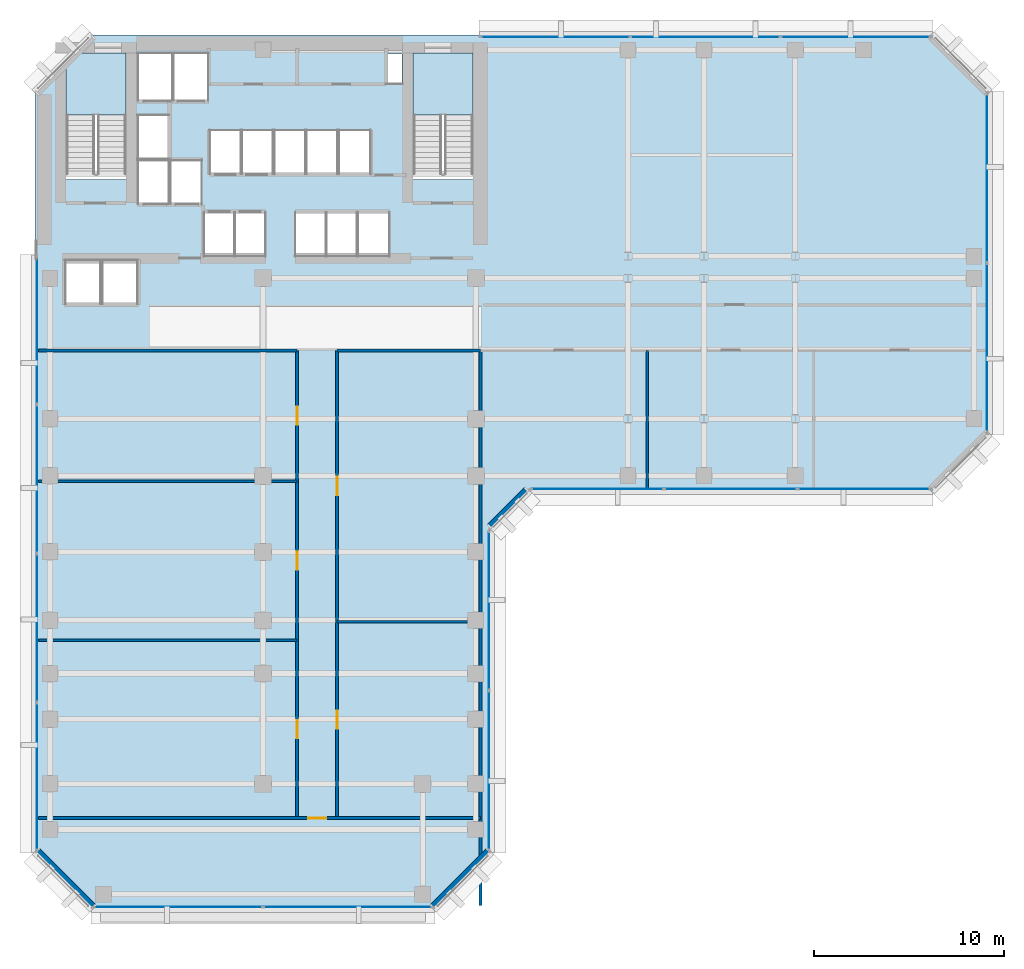
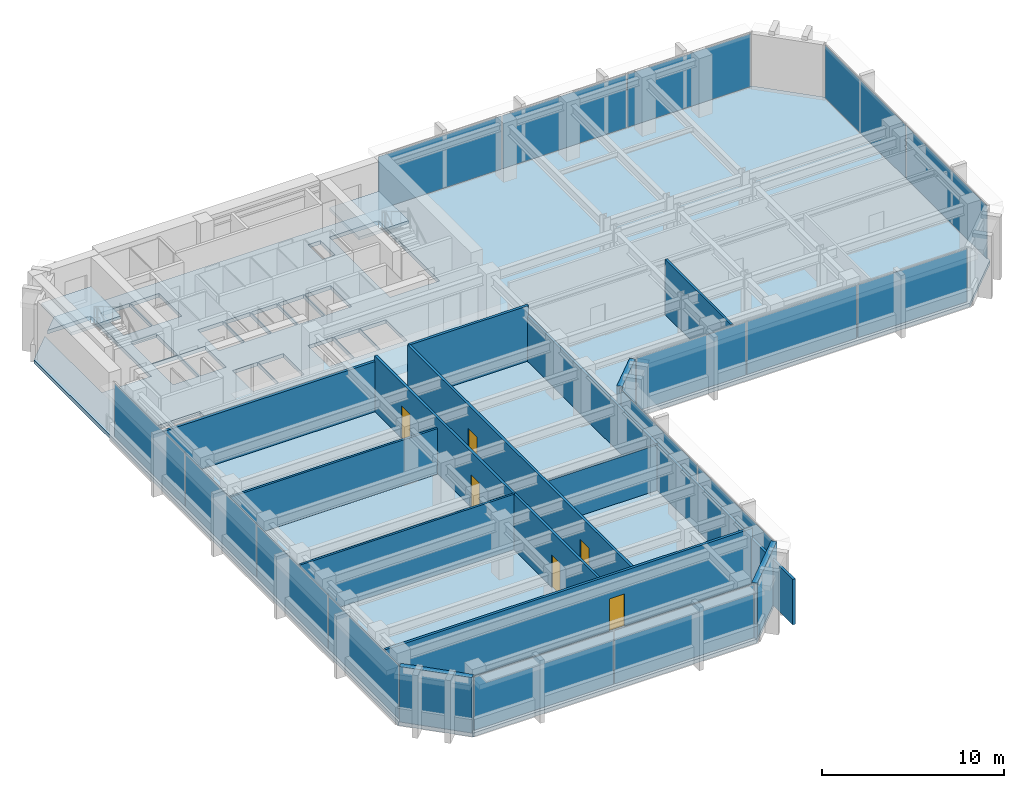
# One storey, part 6 of 12: 16 plates, 13 walls, 6 doors, 3 slabs, 6 openings, 8 elements without a shape of their own.
"""IFC4 building model written with IfcOpenShell, lengths in metres."""

from ifc_helpers import new_model, si_unit, direction, frame, frame_2d, origin, origin_2d, place, context, subcontext, project, spatial, polyline, rectangle, outline, extrude, material, layer, layer_set, type_object, element, fill, aggregate, save


model = new_model("IFC4")

# Units and contexts
model_context = context("Model", 3, precision=1e-05, world=origin(), true_north=direction((0.0, 1.0)))
body_context = subcontext(model_context, "Body", "Model", "MODEL_VIEW")
ifc_project = project(units=[si_unit("LENGTHUNIT", "METRE"), si_unit("AREAUNIT", "SQUARE_METRE"), si_unit("VOLUMEUNIT", "CUBIC_METRE"), si_unit("PLANEANGLEUNIT", "RADIAN"), si_unit("MASSUNIT", "GRAM", prefix="KILO")], contexts=[model_context])

# Site, building, storey
site_placement = place(None, origin())
site = spatial("IfcSite", under=ifc_project, at=site_placement, CompositionType="ELEMENT")
building_placement = place(site_placement, origin())
building = spatial("IfcBuilding", under=site, at=building_placement, Name="Kefirva Bronze Tower", CompositionType="ELEMENT")
storey_placement = place(building_placement, frame((0.0, 0.0, 114.510009765625)))
storey = spatial("IfcBuildingStorey", under=building, at=storey_placement, Name="L27", CompositionType="ELEMENT", Elevation=114.510009765625)

# Stair, slab
ifc_material_1 = material(Name="Concrete C40/50", Category="concrete")
stair_type = type_object("IfcStairType", Name="RC Dogleg Protected Stair 24R", PredefinedType="HALF_TURN_STAIR", material=ifc_material_1)
stair_1_placement = place(storey_placement, origin())
stair_1 = element("IfcStair", 1, at=stair_1_placement, inside=storey, type_object=stair_type, Name="L27 Protected Exit Stair 1", PredefinedType="HALF_TURN_STAIR")
ifc_layer_1 = layer(ifc_material_1, 0.199951171875, Name="Concrete C40/50")
ifc_layer_set_1 = layer_set([ifc_layer_1], Name="Concrete C40/50")
slab_type_1 = type_object("IfcSlabType", Name="RC Stair Landing Slab 200mm", PredefinedType="LANDING", material=ifc_layer_set_1)
slab_1_placement = place(storey_placement, frame((0.0, 0.0, 1.780029296875)))
slab_1 = element("IfcSlab", 2, at=slab_1_placement, type_object=slab_type_1, Name="ST-1 landing 1", PredefinedType="LANDING", context=body_context, shape_type="SweptSolid", body=[
    extrude(outline(polyline([(4.800048828125, 41.780029296875), (4.800048828125, 45.050048828125), (1.64990234375, 45.050048828125), (1.64990234375, 41.780029296875), (4.800048828125, 41.780029296875)])), origin(), (0.0, 0.0, 1.0), 0.199951171875),
])
aggregate(stair_1, [slab_1])

stair_2_placement = place(storey_placement, origin())
stair_2 = element("IfcStair", 3, at=stair_2_placement, inside=storey, type_object=stair_type, Name="L27 Protected Exit Stair 2", PredefinedType="HALF_TURN_STAIR")
slab_2_placement = place(storey_placement, frame((0.0, 0.0, 1.780029296875)))
slab_2 = element("IfcSlab", 4, at=slab_2_placement, type_object=slab_type_1, Name="ST-2 landing 1", PredefinedType="LANDING", context=body_context, shape_type="SweptSolid", body=[
    extrude(outline(polyline([(23.050048828125, 41.780029296875), (23.050048828125, 45.050048828125), (19.89990234375, 45.050048828125), (19.89990234375, 41.780029296875), (23.050048828125, 41.780029296875)])), origin(), (0.0, 0.0, 1.0), 0.199951171875),
])
aggregate(stair_2, [slab_2])

# Slab
ifc_layer_2 = layer(ifc_material_1, 0.25, Name="Concrete C40/50")
ifc_layer_set_2 = layer_set([ifc_layer_2], Name="Concrete C40/50")
slab_type_2 = type_object("IfcSlabType", Name="RC Tower Floor Slab 250mm", PredefinedType="FLOOR", material=ifc_layer_set_2)
slab_3_placement = place(storey_placement, frame((0.0, 0.0, -0.25)))
element("IfcSlab", 5, at=slab_3_placement, inside=storey, type_object=slab_type_2, Name="L27 Structural Floor Slab", PredefinedType="FLOOR", context=body_context, shape_type="SweptSolid", body=[
    extrude(outline(polyline([(0.0, 3.0), (0.0, 43.0), (1.64990234375, 44.64990234375), (1.64990234375, 38.39990234375), (4.800048828125, 38.39990234375), (4.800048828125, 45.050048828125), (2.050048828125, 45.050048828125), (3.0, 46.0), (47.199951171875, 46.0), (50.199951171875, 43.0), (50.199951171875, 25.0), (47.199951171875, 22.0), (26.0, 22.0), (24.0, 20.0), (24.0, 3.0), (21.0, 0.0), (3.0, 0.0), (0.0, 3.0)]), holes=[polyline([(19.89990234375, 38.39990234375), (23.050048828125, 38.39990234375), (23.050048828125, 45.050048828125), (19.89990234375, 45.050048828125), (19.89990234375, 38.39990234375)]), polyline([(18.52001953125, 43.419921875), (19.320068359375, 43.419921875), (19.320068359375, 45.0), (18.52001953125, 45.0), (18.52001953125, 43.419921875)]), polyline([(17.0, 34.35009765625), (18.64990234375, 34.35009765625), (18.64990234375, 36.64990234375), (17.0, 36.64990234375), (17.0, 34.35009765625)]), polyline([(17.64990234375, 38.679931640625), (17.64990234375, 40.97998046875), (16.0, 40.97998046875), (16.0, 38.679931640625), (17.64990234375, 38.679931640625)]), polyline([(16.949951171875, 34.35009765625), (16.949951171875, 36.64990234375), (15.35009765625, 36.64990234375), (15.35009765625, 34.35009765625), (16.949951171875, 34.35009765625)]), polyline([(15.929931640625, 38.679931640625), (15.929931640625, 40.97998046875), (14.300048828125, 40.97998046875), (14.300048828125, 38.679931640625), (15.929931640625, 38.679931640625)]), polyline([(15.300048828125, 34.35009765625), (15.300048828125, 36.64990234375), (13.699951171875, 36.64990234375), (13.699951171875, 34.35009765625), (15.300048828125, 34.35009765625)]), polyline([(14.22998046875, 38.679931640625), (14.22998046875, 40.97998046875), (12.60009765625, 40.97998046875), (12.60009765625, 38.679931640625), (14.22998046875, 38.679931640625)]), polyline([(10.89990234375, 38.679931640625), (12.530029296875, 38.679931640625), (12.530029296875, 40.97998046875), (10.89990234375, 40.97998046875), (10.89990234375, 38.679931640625)]), polyline([(12.139892578125, 34.35009765625), (12.139892578125, 36.64990234375), (10.5400390625, 36.64990234375), (10.5400390625, 34.35009765625), (12.139892578125, 34.35009765625)]), polyline([(10.830078125, 38.679931640625), (10.830078125, 40.97998046875), (9.199951171875, 40.97998046875), (9.199951171875, 38.679931640625), (10.830078125, 38.679931640625)]), polyline([(10.5, 34.35009765625), (10.5, 36.64990234375), (8.89990234375, 36.64990234375), (8.89990234375, 34.35009765625), (10.5, 34.35009765625)]), polyline([(7.300048828125, 42.550048828125), (9.1201171875, 42.550048828125), (9.1201171875, 45.050048828125), (7.300048828125, 45.050048828125), (7.300048828125, 42.550048828125)]), polyline([(7.139892578125, 37.10009765625), (8.780029296875, 37.10009765625), (8.780029296875, 39.39990234375), (7.139892578125, 39.39990234375), (7.139892578125, 37.10009765625)]), polyline([(5.419921875, 42.550048828125), (7.239990234375, 42.550048828125), (7.239990234375, 45.050048828125), (5.419921875, 45.050048828125), (5.419921875, 42.550048828125)]), polyline([(7.06005859375, 39.47998046875), (7.06005859375, 41.780029296875), (5.419921875, 41.780029296875), (5.419921875, 39.47998046875), (7.06005859375, 39.47998046875)]), polyline([(5.419921875, 37.10009765625), (7.06005859375, 37.10009765625), (7.06005859375, 39.39990234375), (5.419921875, 39.39990234375), (5.419921875, 37.10009765625)]), polyline([(5.39990234375, 31.85009765625), (5.39990234375, 34.14990234375), (3.550048828125, 34.14990234375), (3.550048828125, 31.85009765625), (5.39990234375, 31.85009765625)]), polyline([(3.449951171875, 31.85009765625), (3.449951171875, 34.14990234375), (1.60009765625, 34.14990234375), (1.60009765625, 31.85009765625), (3.449951171875, 31.85009765625)])]), origin(), (0.0, 0.0, 1.0), 0.25),
])

# Curtain wall, plates
ifc_material_2 = material(Name="Bronze anodised aluminium", Category="aluminium")
ifc_layer_3 = layer(ifc_material_2, 0.199951171875, Name="Bronze anodised aluminium")
ifc_layer_set_3 = layer_set([ifc_layer_3], Name="Bronze anodised aluminium")
curtain_wall_type = type_object("IfcCurtainWallType", Name="Unitised Bronze Ribbon Curtain Wall Zone 2", PredefinedType="USERDEFINED", material=ifc_layer_set_3)
curtain_wall_1_placement = place(storey_placement, origin())
curtain_wall_1 = element("IfcCurtainWall", 6, at=curtain_wall_1_placement, inside=storey, type_object=curtain_wall_type, Name="L27 Curtain Wall 1", ObjectType="UNITISED CURTAIN WALL", PredefinedType="USERDEFINED")
ifc_material_3 = material(Name="Laminated low-E double glazing", Category="glass")
ifc_layer_4 = layer(ifc_material_3, 0.031982421875, Name="Laminated low-E double glazing")
ifc_layer_set_4 = layer_set([ifc_layer_4], Name="Laminated low-E double glazing")
plate_type = type_object("IfcPlateType", Name="Solar-Control Low-E Vision Panel 32mm", PredefinedType="CURTAIN_PANEL", material=ifc_layer_set_4)
plate_1_placement = place(storey_placement, frame((7.546142578125, 0.1201171875, 0.074951171875), z_axis=(0.0, 0.0, 1.0), x_axis=(1.0, 0.0, 0.0)))
plate_1 = element("IfcPlate", 7, at=plate_1_placement, type_object=plate_type, Name="CW-02 panel 1.1", PredefinedType="CURTAIN_PANEL", context=body_context, shape_type="SweptSolid", body=[
    extrude(rectangle(XDim=8.83251953125, YDim=0.031982421875, at=origin_2d()), origin(), (0.0, 0.0, 1.0), 3.56005859375),
])
plate_2_placement = place(storey_placement, frame((16.453857421875, 0.1201171875, 0.074951171875), z_axis=(0.0, 0.0, 1.0), x_axis=(1.0, 0.0, 0.0)))
plate_2 = element("IfcPlate", 8, at=plate_2_placement, type_object=plate_type, Name="CW-02 panel 2.1", PredefinedType="CURTAIN_PANEL", context=body_context, shape_type="SweptSolid", body=[
    extrude(rectangle(XDim=8.83251953125, YDim=0.031982421875, at=origin_2d()), origin(), (0.0, 0.0, 1.0), 3.56005859375),
])
aggregate(curtain_wall_1, [plate_1, plate_2])

curtain_wall_2_placement = place(storey_placement, origin())
curtain_wall_2 = element("IfcCurtainWall", 9, at=curtain_wall_2_placement, inside=storey, type_object=curtain_wall_type, Name="L27 Curtain Wall 2", ObjectType="UNITISED CURTAIN WALL", PredefinedType="USERDEFINED")
plate_3_placement = place(storey_placement, frame((23.8798828125, 7.296142578125, 0.074951171875), z_axis=(0.0, 0.0, 1.0), x_axis=(0.0, 1.0, 0.0)))
plate_3 = element("IfcPlate", 10, at=plate_3_placement, type_object=plate_type, Name="CW-02 panel 1.1", PredefinedType="CURTAIN_PANEL", context=body_context, shape_type="SweptSolid", body=[
    extrude(rectangle(XDim=8.33251953125, YDim=0.031982421875, at=origin_2d()), origin(), (0.0, 0.0, 1.0), 3.56005859375),
])
plate_4_placement = place(storey_placement, frame((23.8798828125, 15.703857421875, 0.074951171875), z_axis=(0.0, 0.0, 1.0), x_axis=(0.0, 1.0, 0.0)))
plate_4 = element("IfcPlate", 11, at=plate_4_placement, type_object=plate_type, Name="CW-02 panel 2.1", PredefinedType="CURTAIN_PANEL", context=body_context, shape_type="SweptSolid", body=[
    extrude(rectangle(XDim=8.33251953125, YDim=0.031982421875, at=origin_2d()), origin(), (0.0, 0.0, 1.0), 3.56005859375),
])
aggregate(curtain_wall_2, [plate_3, plate_4])

curtain_wall_3_placement = place(storey_placement, origin())
curtain_wall_3 = element("IfcCurtainWall", 12, at=curtain_wall_3_placement, inside=storey, type_object=curtain_wall_type, Name="L27 Curtain Wall 3", ObjectType="UNITISED CURTAIN WALL", PredefinedType="USERDEFINED")
plate_5_placement = place(storey_placement, frame((29.5888671875, 22.1201171875, 0.074951171875), z_axis=(0.0, 0.0, 1.0), x_axis=(1.0, 0.0, 0.0)))
plate_5 = element("IfcPlate", 13, at=plate_5_placement, type_object=plate_type, Name="CW-02 panel 1.1", PredefinedType="CURTAIN_PANEL", context=body_context, shape_type="SweptSolid", body=[
    extrude(rectangle(XDim=6.91748046875, YDim=0.031982421875, at=origin_2d()), origin(), (0.0, 0.0, 1.0), 3.56005859375),
])
plate_6_placement = place(storey_placement, frame((36.60009765625, 22.1201171875, 0.074951171875), z_axis=(0.0, 0.0, 1.0), x_axis=(1.0, 0.0, 0.0)))
plate_6 = element("IfcPlate", 14, at=plate_6_placement, type_object=plate_type, Name="CW-02 panel 2.1", PredefinedType="CURTAIN_PANEL", context=body_context, shape_type="SweptSolid", body=[
    extrude(rectangle(XDim=6.955078125, YDim=0.031982421875, at=origin_2d()), origin(), (0.0, 0.0, 1.0), 3.56005859375),
])
plate_7_placement = place(storey_placement, frame((43.611328125, 22.1201171875, 0.074951171875), z_axis=(0.0, 0.0, 1.0), x_axis=(1.0, 0.0, 0.0)))
plate_7 = element("IfcPlate", 15, at=plate_7_placement, type_object=plate_type, Name="CW-02 panel 3.1", PredefinedType="CURTAIN_PANEL", context=body_context, shape_type="SweptSolid", body=[
    extrude(rectangle(XDim=6.91748046875, YDim=0.031982421875, at=origin_2d()), origin(), (0.0, 0.0, 1.0), 3.56005859375),
])
aggregate(curtain_wall_3, [plate_5, plate_6, plate_7])

curtain_wall_4_placement = place(storey_placement, origin())
curtain_wall_4 = element("IfcCurtainWall", 16, at=curtain_wall_4_placement, inside=storey, type_object=curtain_wall_type, Name="L27 Curtain Wall 4", ObjectType="UNITISED CURTAIN WALL", PredefinedType="USERDEFINED")
plate_8_placement = place(storey_placement, frame((50.080078125, 29.546142578125, 0.074951171875), z_axis=(0.0, 0.0, 1.0), x_axis=(0.0, 1.0, 0.0)))
plate_8 = element("IfcPlate", 17, at=plate_8_placement, type_object=plate_type, Name="CW-02 panel 1.1", PredefinedType="CURTAIN_PANEL", context=body_context, shape_type="SweptSolid", body=[
    extrude(rectangle(XDim=8.83251953125, YDim=0.031982421875, at=origin_2d()), origin(), (0.0, 0.0, 1.0), 3.56005859375),
])
plate_9_placement = place(storey_placement, frame((50.080078125, 38.453857421875, 0.074951171875), z_axis=(0.0, 0.0, 1.0), x_axis=(0.0, 1.0, 0.0)))
plate_9 = element("IfcPlate", 18, at=plate_9_placement, type_object=plate_type, Name="CW-02 panel 2.1", PredefinedType="CURTAIN_PANEL", context=body_context, shape_type="SweptSolid", body=[
    extrude(rectangle(XDim=8.83251953125, YDim=0.031982421875, at=origin_2d()), origin(), (0.0, 0.0, 1.0), 3.56005859375),
])
aggregate(curtain_wall_4, [plate_8, plate_9])

curtain_wall_5_placement = place(storey_placement, origin())
curtain_wall_5 = element("IfcCurtainWall", 19, at=curtain_wall_5_placement, inside=storey, type_object=curtain_wall_type, Name="L27 Curtain Wall 5", ObjectType="UNITISED CURTAIN WALL", PredefinedType="USERDEFINED")
plate_10_placement = place(storey_placement, frame((43.169677734375, 45.8798828125, 0.074951171875), z_axis=(0.0, 0.0, 1.0), x_axis=(-1.0, 0.0, 0.0)))
plate_10 = element("IfcPlate", 20, at=plate_10_placement, type_object=plate_type, Name="CW-02 panel 1.1", PredefinedType="CURTAIN_PANEL", context=body_context, shape_type="SweptSolid", body=[
    extrude(rectangle(XDim=7.80078125, YDim=0.031982421875, at=origin_2d()), origin(), (0.0, 0.0, 1.0), 3.56005859375),
])
plate_11_placement = place(storey_placement, frame((35.27490234375, 45.8798828125, 0.074951171875), z_axis=(0.0, 0.0, 1.0), x_axis=(-1.0, 0.0, 0.0)))
plate_11 = element("IfcPlate", 21, at=plate_11_placement, type_object=plate_type, Name="CW-02 panel 2.1", PredefinedType="CURTAIN_PANEL", context=body_context, shape_type="SweptSolid", body=[
    extrude(rectangle(XDim=7.83837890625, YDim=0.031982421875, at=origin_2d()), origin(), (0.0, 0.0, 1.0), 3.56005859375),
])
plate_12_placement = place(storey_placement, frame((27.38037109375, 45.8798828125, 0.074951171875), z_axis=(0.0, 0.0, 1.0), x_axis=(-1.0, 0.0, 0.0)))
plate_12 = element("IfcPlate", 22, at=plate_12_placement, type_object=plate_type, Name="CW-02 panel 3.1", PredefinedType="CURTAIN_PANEL", context=body_context, shape_type="SweptSolid", body=[
    extrude(rectangle(XDim=7.80078125, YDim=0.031982421875, at=origin_2d()), origin(), (0.0, 0.0, 1.0), 3.56005859375),
])
aggregate(curtain_wall_5, [plate_10, plate_11, plate_12])

curtain_wall_6_placement = place(storey_placement, origin())
curtain_wall_6 = element("IfcCurtainWall", 23, at=curtain_wall_6_placement, inside=storey, type_object=curtain_wall_type, Name="L27 Curtain Wall 6", ObjectType="UNITISED CURTAIN WALL", PredefinedType="USERDEFINED")
plate_13_placement = place(storey_placement, frame((0.1201171875, 30.458740234375, 0.074951171875), z_axis=(0.0, 0.0, 1.0), x_axis=(0.0, -1.0, 0.0)))
plate_13 = element("IfcPlate", 24, at=plate_13_placement, type_object=plate_type, Name="CW-02 panel 1.1", PredefinedType="CURTAIN_PANEL", context=body_context, shape_type="SweptSolid", body=[
    extrude(rectangle(XDim=7.722412109375, YDim=0.031982421875, at=origin_2d()), origin(), (0.0, 0.0, 1.0), 3.56005859375),
])
plate_14_placement = place(storey_placement, frame((0.1201171875, 22.642578125, 0.074951171875), z_axis=(0.0, 0.0, 1.0), x_axis=(0.0, -1.0, 0.0)))
plate_14 = element("IfcPlate", 25, at=plate_14_placement, type_object=plate_type, Name="CW-02 panel 2.1", PredefinedType="CURTAIN_PANEL", context=body_context, shape_type="SweptSolid", body=[
    extrude(rectangle(XDim=7.760009765625, YDim=0.031982421875, at=origin_2d()), origin(), (0.0, 0.0, 1.0), 3.56005859375),
])
plate_15_placement = place(storey_placement, frame((0.1201171875, 14.8076171875, 0.074951171875), z_axis=(0.0, 0.0, 1.0), x_axis=(0.0, -1.0, 0.0)))
plate_15 = element("IfcPlate", 26, at=plate_15_placement, type_object=plate_type, Name="CW-02 panel 3.1", PredefinedType="CURTAIN_PANEL", context=body_context, shape_type="SweptSolid", body=[
    extrude(rectangle(XDim=7.760009765625, YDim=0.031982421875, at=origin_2d()), origin(), (0.0, 0.0, 1.0), 3.56005859375),
])
plate_16_placement = place(storey_placement, frame((0.1201171875, 6.9912109375, 0.074951171875), z_axis=(0.0, 0.0, 1.0), x_axis=(0.0, -1.0, 0.0)))
plate_16 = element("IfcPlate", 27, at=plate_16_placement, type_object=plate_type, Name="CW-02 panel 4.1", PredefinedType="CURTAIN_PANEL", context=body_context, shape_type="SweptSolid", body=[
    extrude(rectangle(XDim=7.722412109375, YDim=0.031982421875, at=origin_2d()), origin(), (0.0, 0.0, 1.0), 3.56005859375),
])
aggregate(curtain_wall_6, [plate_13, plate_14, plate_15, plate_16])

# Walls
ifc_material_4 = material(Name="Gypsum acoustic partition")
ifc_layer_5 = layer(ifc_material_4, 0.1298828125, Name="Gypsum acoustic partition")
ifc_layer_set_5 = layer_set([ifc_layer_5], Name="Gypsum acoustic partition")
wall_type_1 = type_object("IfcWallType", Name="Acoustic Office Partition 130mm", PredefinedType="PARTITIONING", material=ifc_layer_set_5)
wall_1_placement = place(storey_placement, frame((0.18994140625, 14.14794921875, 0.0), z_axis=(0.0, 0.0, 1.0), x_axis=(1.0, 0.0, 0.0)))
element("IfcWall", 28, at=wall_1_placement, inside=storey, type_object=wall_type_1, Name="L27 Partition W-L27-SWD1", PredefinedType="PARTITIONING", context=body_context, shape_type="SweptSolid", body=[
    extrude(rectangle(XDim=13.610107421875, YDim=0.1298828125, at=frame_2d((6.80517578125, 0.0))), origin(), (0.0, 0.0, 1.0), 3.7099609375),
])
wall_2_placement = place(storey_placement, frame((0.18994140625, 22.511962890625, 0.0), z_axis=(0.0, 0.0, 1.0), x_axis=(1.0, 0.0, 0.0)))
element("IfcWall", 29, at=wall_2_placement, inside=storey, type_object=wall_type_1, Name="L27 Partition W-L27-SWD2", PredefinedType="PARTITIONING", context=body_context, shape_type="SweptSolid", body=[
    extrude(rectangle(XDim=13.610107421875, YDim=0.1298828125, at=frame_2d((6.80517578125, 0.0))), origin(), (0.0, 0.0, 1.0), 3.044921875),
])
wall_3_placement = place(storey_placement, frame((15.89990234375, 15.132080078125, 0.0), z_axis=(0.0, 0.0, 1.0), x_axis=(1.0, 0.0, 0.0)))
element("IfcWall", 30, at=wall_3_placement, inside=storey, type_object=wall_type_1, Name="L27 Partition W-L27-SED1", PredefinedType="PARTITIONING", context=body_context, shape_type="SweptSolid", body=[
    extrude(rectangle(XDim=7.550048828125, YDim=0.1298828125, at=frame_2d((3.77490234375, 0.0))), origin(), (0.0, 0.0, 1.0), 3.044921875),
])
wall_4_placement = place(storey_placement, frame((32.21484375, 22.18994140625, 0.0), z_axis=(0.0, 0.0, 1.0), x_axis=(0.0, 1.0, 0.0)))
element("IfcWall", 31, at=wall_4_placement, inside=storey, type_object=wall_type_1, Name="L27 Partition W-L27-ESD1", PredefinedType="PARTITIONING", context=body_context, shape_type="SweptSolid", body=[
    extrude(rectangle(XDim=7.2099609375, YDim=0.1298828125, at=frame_2d((3.60498046875, 0.0))), origin(), (0.0, 0.0, 1.0), 3.7099609375),
])
ifc_material_5 = material(Name="Precast concrete C40/50", Category="concrete")
ifc_layer_6 = layer(ifc_material_5, 0.320068359375, Name="Precast concrete C40/50")
ifc_layer_set_6 = layer_set([ifc_layer_6], Name="Precast concrete C40/50")
wall_type_2 = type_object("IfcWallType", Name="Precast Insulated Exterior Wall 320mm", PredefinedType="SOLIDWALL", material=ifc_layer_set_6)
wall_5_placement = place(storey_placement, frame((20.92578125, 0.152099609375, 0.0), z_axis=(0.0, 0.0, 1.0), x_axis=(0.707106781187, 0.707106781187, 0.0)))
element("IfcWall", 32, at=wall_5_placement, inside=storey, type_object=wall_type_2, Name="L27 Exterior Facade Wall 1", PredefinedType="SOLIDWALL", context=body_context, shape_type="SweptSolid", body=[
    extrude(rectangle(XDim=4.132568359375, YDim=0.320068359375, at=frame_2d((2.06640625, 0.0))), origin(), (0.0, 0.0, 1.0), 3.7099609375),
])
wall_6_placement = place(storey_placement, frame((23.92578125, 20.152099609375, 0.0), z_axis=(0.0, 0.0, 1.0), x_axis=(0.707106781187, 0.707106781187, 0.0)))
element("IfcWall", 33, at=wall_6_placement, inside=storey, type_object=wall_type_2, Name="L27 Exterior Facade Wall 2", PredefinedType="SOLIDWALL", context=body_context, shape_type="SweptSolid", body=[
    extrude(rectangle(XDim=2.71826171875, YDim=0.320068359375, at=frame_2d((1.359130859375, 0.0))), origin(), (0.0, 0.0, 1.0), 3.7099609375),
])
wall_7_placement = place(storey_placement, frame((0.152099609375, 3.07421875, 0.0), z_axis=(0.0, 0.0, 1.0), x_axis=(0.707106781187, -0.707106781187, 0.0)))
element("IfcWall", 34, at=wall_7_placement, inside=storey, type_object=wall_type_2, Name="L27 Exterior Facade Wall 6", PredefinedType="SOLIDWALL", context=body_context, shape_type="SweptSolid", body=[
    extrude(rectangle(XDim=4.132568359375, YDim=0.320068359375, at=frame_2d((2.06640625, 0.0))), origin(), (0.0, 0.0, 1.0), 3.7099609375),
])

# Wall, openings, doors
ifc_layer_7 = layer(ifc_material_4, 0.159912109375, Name="Gypsum acoustic partition")
ifc_layer_set_7 = layer_set([ifc_layer_7], Name="Gypsum acoustic partition")
wall_type_3 = type_object("IfcWallType", Name="Protected Corridor Partition 160mm", PredefinedType="PARTITIONING", material=ifc_layer_set_7)
wall_8_placement = place(storey_placement, frame((13.800048828125, 4.800048828125, 0.0), z_axis=(0.0, 0.0, 1.0), x_axis=(0.0, 1.0, 0.0)))
wall_8 = element("IfcWall", 35, at=wall_8_placement, inside=storey, type_object=wall_type_3, Name="L27 Partition W-L27-SWCORW", PredefinedType="PARTITIONING", context=body_context, shape_type="SweptSolid", body=[
    extrude(rectangle(XDim=24.599853515625, YDim=0.159912109375, at=frame_2d((12.2998046875, 0.0))), origin(), (0.0, 0.0, 1.0), 3.7099609375),
])
opening_1_placement = place(wall_8_placement, frame((5.14892578125, 0.0, 0.0), z_axis=(0.0, 0.0, 1.0), x_axis=(-1.0, 0.0, 0.0)))
opening_1 = element("IfcOpeningElement", 36, at=opening_1_placement, cuts=wall_8, Name="Opening L27-D-SW1", PredefinedType="OPENING", context=body_context, shape_type="SweptSolid", body=[
    extrude(rectangle(XDim=0.949951171875, YDim=2.14990234375, at=frame_2d((0.47509765625, 1.074951171875))), frame((0.0, 0.08984375, 0.0), z_axis=(0.0, -1.0, 0.0), x_axis=(1.0, 0.0, 0.0)), (0.0, 0.0, 1.0), 0.179931640625),
])
opening_2_placement = place(wall_8_placement, frame((14.0048828125, 0.0, 0.0), z_axis=(0.0, 0.0, 1.0), x_axis=(-1.0, 0.0, 0.0)))
opening_2 = element("IfcOpeningElement", 37, at=opening_2_placement, cuts=wall_8, Name="Opening L27-D-SW2", PredefinedType="OPENING", context=body_context, shape_type="SweptSolid", body=[
    extrude(rectangle(XDim=0.949951171875, YDim=2.14990234375, at=frame_2d((0.47509765625, 1.074951171875))), frame((0.0, 0.08984375, 0.0), z_axis=(0.0, -1.0, 0.0), x_axis=(1.0, 0.0, 0.0)), (0.0, 0.0, 1.0), 0.179931640625),
])
opening_3_placement = place(wall_8_placement, frame((21.630859375, 0.0, 0.0), z_axis=(0.0, 0.0, 1.0), x_axis=(-1.0, 0.0, 0.0)))
opening_3 = element("IfcOpeningElement", 38, at=opening_3_placement, cuts=wall_8, Name="Opening L27-D-SW3", PredefinedType="OPENING", context=body_context, shape_type="SweptSolid", body=[
    extrude(rectangle(XDim=0.949951171875, YDim=2.14990234375, at=frame_2d((0.47509765625, 1.074951171875))), frame((0.0, 0.08984375, 0.0), z_axis=(0.0, -1.0, 0.0), x_axis=(1.0, 0.0, 0.0)), (0.0, 0.0, 1.0), 0.179931640625),
])
ifc_material_6 = material(Name="Acoustic hardwood oak", Category="wood")
door_type = type_object("IfcDoorType", Name="Office & Meeting Room Door 950x2150", OperationType="NOTDEFINED", PredefinedType="DOOR", material=ifc_material_6)
door_1_placement = place(opening_1_placement, origin())
door_1 = element("IfcDoor", 39, at=door_1_placement, inside=storey, type_object=door_type, Name="Door L27-D-SW1", OperationType="SINGLE_SWING_LEFT", OverallHeight=2.14990234375, OverallWidth=0.949951171875, PredefinedType="DOOR", context=body_context, shape_type="SweptSolid", body=[
    extrude(rectangle(XDim=0.949951171875, YDim=2.14990234375, at=frame_2d((0.47509765625, 1.074951171875))), frame((0.0, 0.02490234375, 0.0), z_axis=(0.0, -1.0, 0.0), x_axis=(1.0, 0.0, 0.0)), (0.0, 0.0, 1.0), 0.050048828125),
])
fill(opening_1, door_1)
door_2_placement = place(opening_2_placement, origin())
door_2 = element("IfcDoor", 40, at=door_2_placement, inside=storey, type_object=door_type, Name="Door L27-D-SW2", OperationType="SINGLE_SWING_RIGHT", OverallHeight=2.14990234375, OverallWidth=0.949951171875, PredefinedType="DOOR", context=body_context, shape_type="SweptSolid", body=[
    extrude(rectangle(XDim=0.949951171875, YDim=2.14990234375, at=frame_2d((0.47509765625, 1.074951171875))), frame((0.0, 0.02490234375, 0.0), z_axis=(0.0, -1.0, 0.0), x_axis=(1.0, 0.0, 0.0)), (0.0, 0.0, 1.0), 0.050048828125),
])
fill(opening_2, door_2)
door_3_placement = place(opening_3_placement, origin())
door_3 = element("IfcDoor", 41, at=door_3_placement, inside=storey, type_object=door_type, Name="Door L27-D-SW3", OperationType="SINGLE_SWING_LEFT", OverallHeight=2.14990234375, OverallWidth=0.949951171875, PredefinedType="DOOR", context=body_context, shape_type="SweptSolid", body=[
    extrude(rectangle(XDim=0.949951171875, YDim=2.14990234375, at=frame_2d((0.47509765625, 1.074951171875))), frame((0.0, 0.02490234375, 0.0), z_axis=(0.0, -1.0, 0.0), x_axis=(1.0, 0.0, 0.0)), (0.0, 0.0, 1.0), 0.050048828125),
])
fill(opening_3, door_3)

wall_9_placement = place(storey_placement, frame((15.89990234375, 4.800048828125, 0.0), z_axis=(0.0, 0.0, 1.0), x_axis=(0.0, 1.0, 0.0)))
wall_9 = element("IfcWall", 42, at=wall_9_placement, inside=storey, type_object=wall_type_3, Name="L27 Partition W-L27-SECORE", PredefinedType="PARTITIONING", context=body_context, shape_type="SweptSolid", body=[
    extrude(rectangle(XDim=24.599853515625, YDim=0.159912109375, at=frame_2d((12.2998046875, 0.0))), origin(), (0.0, 0.0, 1.0), 3.7099609375),
])
opening_4_placement = place(wall_9_placement, frame((4.69091796875, 0.0, 0.0)))
opening_4 = element("IfcOpeningElement", 43, at=opening_4_placement, cuts=wall_9, Name="Opening L27-D-SE1", PredefinedType="OPENING", context=body_context, shape_type="SweptSolid", body=[
    extrude(rectangle(XDim=0.949951171875, YDim=2.14990234375, at=frame_2d((0.47509765625, 1.074951171875))), frame((0.0, 0.08984375, 0.0), z_axis=(0.0, -1.0, 0.0), x_axis=(1.0, 0.0, 0.0)), (0.0, 0.0, 1.0), 0.179931640625),
])
opening_5_placement = place(wall_9_placement, frame((16.990966796875, 0.0, 0.0)))
opening_5 = element("IfcOpeningElement", 44, at=opening_5_placement, cuts=wall_9, Name="Opening L27-D-SE2", PredefinedType="OPENING", context=body_context, shape_type="SweptSolid", body=[
    extrude(rectangle(XDim=0.949951171875, YDim=2.14990234375, at=frame_2d((0.47509765625, 1.074951171875))), frame((0.0, 0.08984375, 0.0), z_axis=(0.0, -1.0, 0.0), x_axis=(1.0, 0.0, 0.0)), (0.0, 0.0, 1.0), 0.179931640625),
])
door_4_placement = place(opening_4_placement, origin())
door_4 = element("IfcDoor", 45, at=door_4_placement, inside=storey, type_object=door_type, Name="Door L27-D-SE1", OperationType="SINGLE_SWING_RIGHT", OverallHeight=2.14990234375, OverallWidth=0.949951171875, PredefinedType="DOOR", context=body_context, shape_type="SweptSolid", body=[
    extrude(rectangle(XDim=0.949951171875, YDim=2.14990234375, at=frame_2d((0.47509765625, 1.074951171875))), frame((0.0, 0.02490234375, 0.0), z_axis=(0.0, -1.0, 0.0), x_axis=(1.0, 0.0, 0.0)), (0.0, 0.0, 1.0), 0.050048828125),
])
fill(opening_4, door_4)
door_5_placement = place(opening_5_placement, origin())
door_5 = element("IfcDoor", 46, at=door_5_placement, inside=storey, type_object=door_type, Name="Door L27-D-SE2", OperationType="SINGLE_SWING_LEFT", OverallHeight=2.14990234375, OverallWidth=0.949951171875, PredefinedType="DOOR", context=body_context, shape_type="SweptSolid", body=[
    extrude(rectangle(XDim=0.949951171875, YDim=2.14990234375, at=frame_2d((0.47509765625, 1.074951171875))), frame((0.0, 0.02490234375, 0.0), z_axis=(0.0, -1.0, 0.0), x_axis=(1.0, 0.0, 0.0)), (0.0, 0.0, 1.0), 0.050048828125),
])
fill(opening_5, door_5)

# Wall, opening, door
wall_10_placement = place(storey_placement, frame((0.18994140625, 4.800048828125, 0.0), z_axis=(0.0, 0.0, 1.0), x_axis=(1.0, 0.0, 0.0)))
wall_10 = element("IfcWall", 47, at=wall_10_placement, inside=storey, type_object=wall_type_3, Name="L27 Partition W-L27-SBEND", PredefinedType="PARTITIONING", context=body_context, shape_type="SweptSolid", body=[
    extrude(rectangle(XDim=23.260009765625, YDim=0.159912109375, at=frame_2d((11.6298828125, 0.0))), origin(), (0.0, 0.0, 1.0), 3.7099609375),
])
opening_6_placement = place(wall_10_placement, frame((14.18994140625, 0.0, 0.0)))
opening_6 = element("IfcOpeningElement", 48, at=opening_6_placement, cuts=wall_10, Name="Opening L27-D-SEND1", PredefinedType="OPENING", context=body_context, shape_type="SweptSolid", body=[
    extrude(rectangle(XDim=0.949951171875, YDim=2.14990234375, at=frame_2d((0.47509765625, 1.074951171875))), frame((0.0, 0.08984375, 0.0), z_axis=(0.0, -1.0, 0.0), x_axis=(1.0, 0.0, 0.0)), (0.0, 0.0, 1.0), 0.179931640625),
])
door_6_placement = place(opening_6_placement, origin())
door_6 = element("IfcDoor", 49, at=door_6_placement, inside=storey, type_object=door_type, Name="Door L27-D-SEND1", OperationType="SINGLE_SWING_RIGHT", OverallHeight=2.14990234375, OverallWidth=0.949951171875, PredefinedType="DOOR", context=body_context, shape_type="SweptSolid", body=[
    extrude(rectangle(XDim=0.949951171875, YDim=2.14990234375, at=frame_2d((0.47509765625, 1.074951171875))), frame((0.0, 0.02490234375, 0.0), z_axis=(0.0, -1.0, 0.0), x_axis=(1.0, 0.0, 0.0)), (0.0, 0.0, 1.0), 0.050048828125),
])
fill(opening_6, door_6)

# Walls
wall_11_placement = place(storey_placement, frame((0.18994140625, 29.39990234375, 0.0), z_axis=(0.0, 0.0, 1.0), x_axis=(1.0, 0.0, 0.0)))
element("IfcWall", 50, at=wall_11_placement, inside=storey, type_object=wall_type_3, Name="L27 Partition W-L27-NWT", PredefinedType="PARTITIONING", context=body_context, shape_type="SweptSolid", body=[
    extrude(rectangle(XDim=13.610107421875, YDim=0.159912109375, at=frame_2d((6.80517578125, 0.0))), origin(), (0.0, 0.0, 1.0), 3.364990234375),
])
wall_12_placement = place(storey_placement, frame((15.89990234375, 29.39990234375, 0.0), z_axis=(0.0, 0.0, 1.0), x_axis=(1.0, 0.0, 0.0)))
element("IfcWall", 51, at=wall_12_placement, inside=storey, type_object=wall_type_3, Name="L27 Partition W-L27-NET", PredefinedType="PARTITIONING", context=body_context, shape_type="SweptSolid", body=[
    extrude(rectangle(XDim=7.550048828125, YDim=0.159912109375, at=frame_2d((3.77490234375, 0.0))), origin(), (0.0, 0.0, 1.0), 3.7099609375),
])
wall_13_placement = place(storey_placement, frame((23.449951171875, 0.18994140625, 0.0), z_axis=(0.0, 0.0, 1.0), x_axis=(0.0, 1.0, 0.0)))
element("IfcWall", 52, at=wall_13_placement, inside=storey, type_object=wall_type_3, Name="L27 Partition W-L27-SWEAST", PredefinedType="PARTITIONING", context=body_context, shape_type="SweptSolid", body=[
    extrude(rectangle(XDim=29.2099609375, YDim=0.159912109375, at=frame_2d((14.60498046875, 0.0))), origin(), (0.0, 0.0, 1.0), 3.044921875),
])

save(model, "model.ifc")
